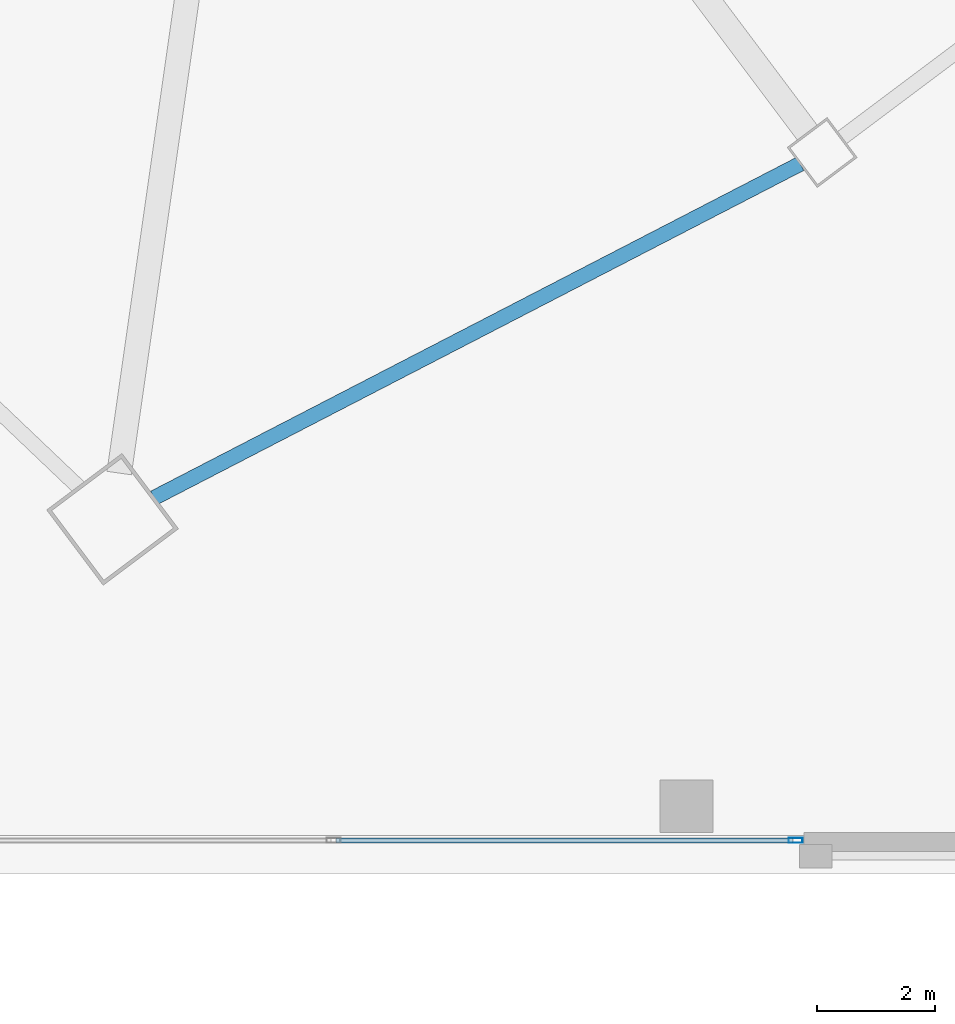
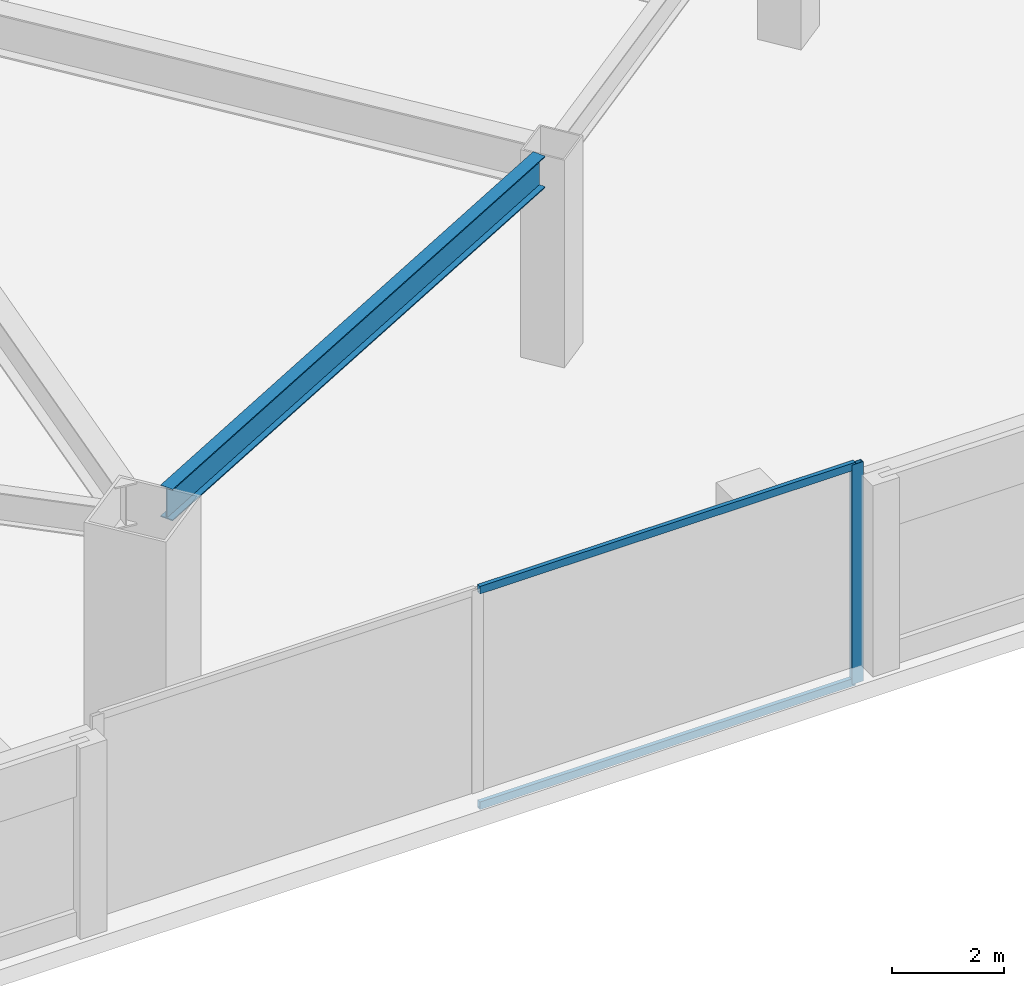
# One storey, part 19 of 44: 3 members, 1 beam, 1 element without a shape of its own.
"""IFC4 building model written with IfcOpenShell, lengths in metres."""

from ifc_helpers import new_model, si_unit, direction, frame, origin, origin_2d, place, context, subcontext, project, spatial, hollow_rectangle, i_section, extrude, material, material_profile, profile_set, type_object, element, aggregate, save


model = new_model("IFC4")

# Units and contexts
model_context = context("Model", 3, precision=1e-05, world=origin(), true_north=direction((0.0, 1.0)))
body_context = subcontext(model_context, "Body", "Model", "MODEL_VIEW")
ifc_project = project(units=[si_unit("LENGTHUNIT", "METRE"), si_unit("AREAUNIT", "SQUARE_METRE"), si_unit("VOLUMEUNIT", "CUBIC_METRE"), si_unit("PLANEANGLEUNIT", "RADIAN"), si_unit("MASSUNIT", "GRAM", prefix="KILO")], contexts=[model_context])

# Site, building, storey
site_placement = place(None, origin())
site = spatial("IfcSite", under=ifc_project, at=site_placement, CompositionType="ELEMENT")
building_placement = place(site_placement, origin())
building = spatial("IfcBuilding", under=site, at=building_placement, Name="Tashvorn Skyway Center", CompositionType="ELEMENT")
storey_placement = place(building_placement, frame((0.0, 0.0, 5.39990234375)))
storey = spatial("IfcBuildingStorey", under=building, at=storey_placement, Name="L01", CompositionType="ELEMENT", Elevation=5.39990234375)

# Beam
ifc_material_1 = material(Name="Steel ASTM A992 Grade 50", Category="steel")
ifc_material_profile_1 = material_profile(ifc_material_1, i_section(OverallWidth=0.256103515625, OverallDepth=0.693115234375, WebThickness=0.014404296875, FlangeThickness=0.023681640625, at=origin_2d()), Name="W27X114")
ifc_profile_set_1 = profile_set([ifc_material_profile_1], Name="Steel ASTM A992 Grade 50")
beam_type = type_object("IfcBeamType", Name="BM-SPANDREL-W27X114", PredefinedType="SPANDREL", material=ifc_profile_set_1)
beam_placement = place(storey_placement, frame((110.9462890625, 6.045166015625, 4.193603515625), z_axis=(0.888315637339, 0.459233413919, 0.0), x_axis=(-0.459233413919, 0.888315637339, 0.0)))
element("IfcBeam", 1, at=beam_placement, inside=storey, type_object=beam_type, Name="Tower 2 L01 Spandrel Beam 01", PredefinedType="SPANDREL", context=body_context, shape_type="SweptSolid", body=[
    extrude(i_section(OverallWidth=0.256103515625, OverallDepth=0.693115234375, WebThickness=0.014404296875, FlangeThickness=0.023681640625, at=origin_2d()), origin(), (0.0, 0.0, 1.0), 12.37255859375),
])

# Curtain wall, members
ifc_material_2 = material(Name="Thermally broken bronze-anodized aluminium 6063-T6", Category="aluminium")
curtain_wall_type = type_object("IfcCurtainWallType", Name="CW-CW-Z1", PredefinedType="NOTDEFINED", material=ifc_material_2)
curtain_wall_placement = place(storey_placement, origin())
curtain_wall = element("IfcCurtainWall", 2, at=curtain_wall_placement, inside=storey, type_object=curtain_wall_type, Name="L01 South Station Arcade Curtain Wall 1", PredefinedType="NOTDEFINED")
ifc_material_profile_2 = material_profile(ifc_material_2, hollow_rectangle(XDim=0.0849609375, YDim=0.239990234375, WallThickness=0.0048828125, at=origin_2d()), Name="ALU-MULL-85x240")
ifc_profile_set_2 = profile_set([ifc_material_profile_2], Name="Thermally broken bronze-anodized aluminium 6063-T6")
member_type_1 = type_object("IfcMemberType", Name="CWM-CW-Z1", PredefinedType="MULLION", material=ifc_profile_set_2)
member_1_placement = place(storey_placement, frame((121.857421875, 0.219970703125, 0.0), z_axis=(0.0, 0.0, 1.0), x_axis=(0.0, -1.0, 0.0)))
member_1 = element("IfcMember", 3, at=member_1_placement, type_object=member_type_1, Name="CW-Z1 mullion 1", PredefinedType="MULLION", context=body_context, shape_type="SweptSolid", body=[
    extrude(hollow_rectangle(XDim=0.0849609375, YDim=0.239990234375, WallThickness=0.0048828125, at=origin_2d()), origin(), (0.0, 0.0, 1.0), 4.800048828125),
])
ifc_material_profile_3 = material_profile(ifc_material_2, hollow_rectangle(XDim=0.0849609375, YDim=0.1650390625, WallThickness=0.0048828125, at=origin_2d()), Name="ALU-TRAN-85x165")
ifc_profile_set_3 = profile_set([ifc_material_profile_3], Name="Thermally broken bronze-anodized aluminium 6063-T6")
member_type_2 = type_object("IfcMemberType", Name="CWT-CW-Z1", PredefinedType="USERDEFINED", material=ifc_profile_set_3)
member_2_placement = place(storey_placement, frame((121.81494140625, 0.219970703125, 0.04248046875), z_axis=(-1.0, 0.0, 0.0), x_axis=(0.0, -1.0, 0.0)))
member_2 = element("IfcMember", 4, at=member_2_placement, type_object=member_type_2, Name="CW-Z1 transom 1.1", ObjectType="TRANSOM", PredefinedType="USERDEFINED", context=body_context, shape_type="SweptSolid", body=[
    extrude(hollow_rectangle(XDim=0.0849609375, YDim=0.1650390625, WallThickness=0.0048828125, at=origin_2d()), origin(), (0.0, 0.0, 1.0), 7.7724609375),
])
member_3_placement = place(storey_placement, frame((121.81494140625, 0.219970703125, 4.757568359375), z_axis=(-1.0, 0.0, 0.0), x_axis=(0.0, -1.0, 0.0)))
member_3 = element("IfcMember", 5, at=member_3_placement, type_object=member_type_2, Name="CW-Z1 transom 1.2", ObjectType="TRANSOM", PredefinedType="USERDEFINED", context=body_context, shape_type="SweptSolid", body=[
    extrude(hollow_rectangle(XDim=0.0849609375, YDim=0.1650390625, WallThickness=0.0048828125, at=origin_2d()), origin(), (0.0, 0.0, 1.0), 7.7724609375),
])
aggregate(curtain_wall, [member_1, member_2, member_3])

save(model, "model.ifc")
